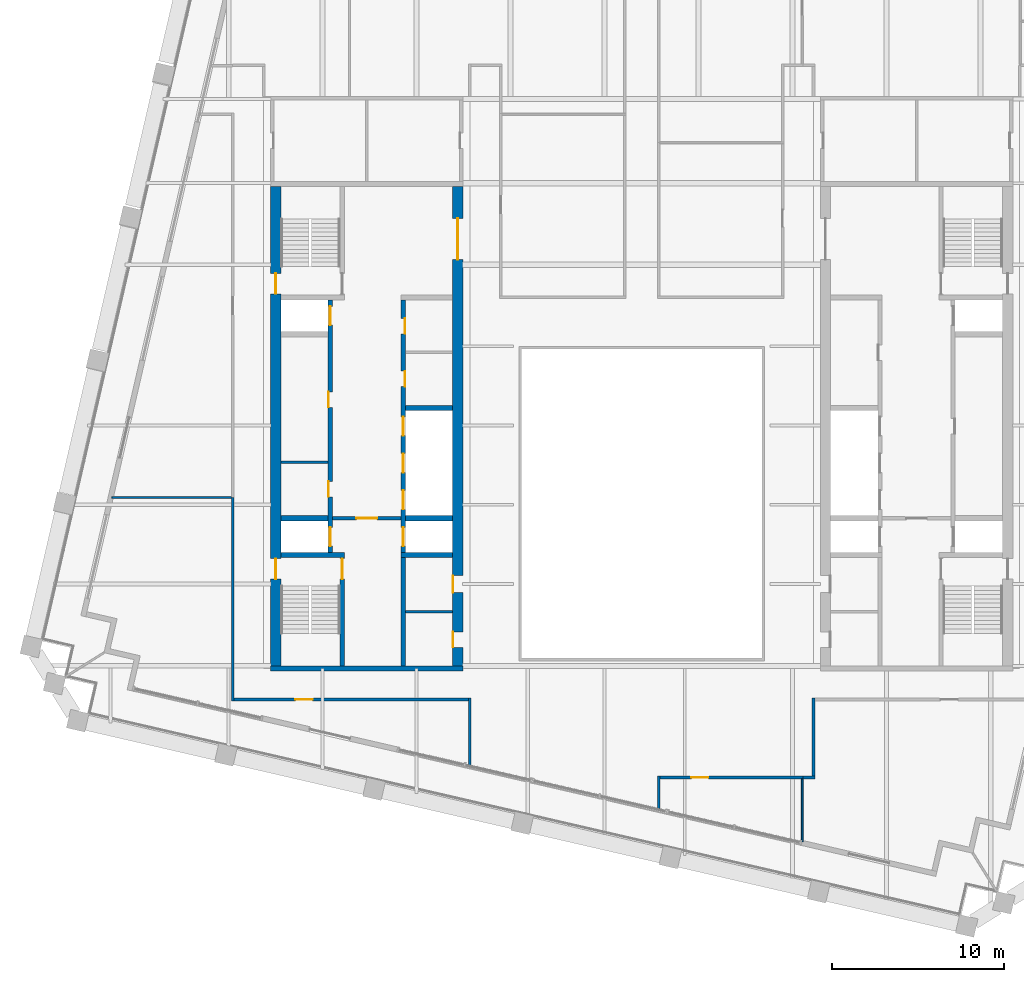
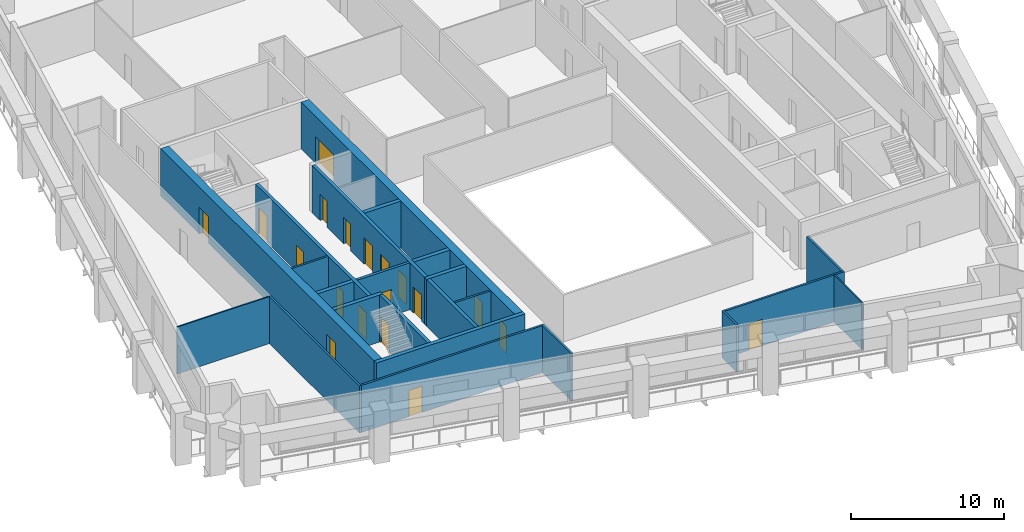
# One storey, part 5 of 11: 23 walls, 19 doors, 19 openings.
"""IFC4 building model written with IfcOpenShell, lengths in metres."""

import ifcopenshell
import ifcopenshell.guid

model = None  # the IFC model being written
_history = None  # IfcOwnerHistory: only IFC2X3 demands one
_inside = {}  # id of a spatial element -> (the spatial element, [elements in it])
_under = {}  # id of a project, library or spatial element -> (it, [spatial elements below it])
_declared = {}  # id of a project -> (the project, [libraries it declares])
_typed = {}  # id of a type object -> (the type object, [elements of that type])
_made_of = {}  # id of a material, layer set ... -> (it, [elements and type objects made of it])


def new_model(schema):
    """Start an empty IFC model of exactly this schema.

    Asked for "IFC4X3", IfcOpenShell would pick the latest addendum, in which some entities
    have other attributes; the version numbers below select the first issue.
    IFC2X3 requires an IfcOwnerHistory on every rooted entity: one is made here for all.
    """
    global model, _history
    if schema == "IFC4X3":
        model = ifcopenshell.file(schema_version=(4, 3, 0, 0))
    else:
        model = ifcopenshell.file(schema=schema)
    _inside.clear()
    _under.clear()
    _declared.clear()
    _typed.clear()
    _made_of.clear()
    _history = None
    if model.schema == "IFC2X3":
        org = make("IfcOrganization", Name="unknown")
        user = make(
            "IfcPersonAndOrganization",
            ThePerson=make("IfcPerson", FamilyName="unknown"),
            TheOrganization=org,
        )
        app = make(
            "IfcApplication",
            ApplicationDeveloper=org,
            Version="unknown",
            ApplicationFullName="unknown",
            ApplicationIdentifier="unknown",
        )
        _history = make(
            "IfcOwnerHistory",
            OwningUser=user,
            OwningApplication=app,
            ChangeAction="ADDED",
            CreationDate=0,
        )
    return model


def make(cls, **values):
    """One entity of the class cls with the attributes given. An attribute that is None is left unset."""
    return model.create_entity(
        cls, **{name: value for name, value in values.items() if value is not None}
    )


def rooted(cls, **values):
    """An entity with a GlobalId (a new one), such as an element, a storey or a relation."""
    return make(cls, GlobalId=ifcopenshell.guid.new(), OwnerHistory=_history, **values)


def si_unit(unit_type, name, prefix=None):
    """IfcSIUnit, for example si_unit("LENGTHUNIT", "METRE", prefix="MILLI")."""
    return make("IfcSIUnit", UnitType=unit_type, Prefix=prefix, Name=name)


def assignment(units):
    """IfcUnitAssignment: the units of a project."""
    return None if units is None else make("IfcUnitAssignment", Units=units)


def point(xyz):
    """IfcCartesianPoint."""
    return None if xyz is None else make("IfcCartesianPoint", Coordinates=xyz)


def direction(xyz):
    """IfcDirection."""
    return None if xyz is None else make("IfcDirection", DirectionRatios=xyz)


def frame(location, z_axis=None, x_axis=None):
    """IfcAxis2Placement3D, a coordinate frame: its origin and axes. An axis left out is left unset."""
    return make(
        "IfcAxis2Placement3D",
        Location=point(location),
        Axis=direction(z_axis),
        RefDirection=direction(x_axis),
    )


def frame_2d(location, x_axis=None):
    """IfcAxis2Placement2D, a coordinate frame in the plane: its origin and x axis."""
    return make(
        "IfcAxis2Placement2D", Location=point(location), RefDirection=direction(x_axis)
    )


def origin():
    """The frame at (0, 0, 0) with its axes left unset."""
    return frame((0.0, 0.0, 0.0))


def place(relative_to, where):
    """IfcLocalPlacement: puts the frame where relative to a parent placement (None: the world)."""
    return make(
        "IfcLocalPlacement", PlacementRelTo=relative_to, RelativePlacement=where
    )


def context(
    kind, dimensions, precision=None, world=None, true_north=None, identifier=None
):
    """IfcGeometricRepresentationContext, for example the 3D "Model" context."""
    return make(
        "IfcGeometricRepresentationContext",
        ContextIdentifier=identifier,
        ContextType=kind,
        CoordinateSpaceDimension=dimensions,
        Precision=precision,
        WorldCoordinateSystem=world,
        TrueNorth=true_north,
    )


def subcontext(parent, identifier, kind, view, scale=None):
    """IfcGeometricRepresentationSubContext, for example "Body" below "Model"."""
    return make(
        "IfcGeometricRepresentationSubContext",
        ContextIdentifier=identifier,
        ContextType=kind,
        ParentContext=parent,
        TargetScale=scale,
        TargetView=view,
    )


def project(units=None, contexts=None):
    """IfcProject with its units and contexts."""
    return rooted(
        "IfcProject",
        Name="project",
        RepresentationContexts=contexts,
        UnitsInContext=assignment(units),
    )


def spatial(cls, under=None, at=None, **own):
    """A site, building, storey or space (cls), placed at a placement, below another one or the project."""
    s = rooted(cls, ObjectPlacement=at, **own)
    if under is not None:
        _under.setdefault(under.id(), (under, []))[1].append(s)
    return s


def profile(cls, at=None, kind="AREA", **sizes):
    """A parametric profile (cls). Its sizes go by their IFC names, for example OverallWidth=200.0."""
    return make(cls, ProfileType=kind, Position=at, **sizes)


def rectangle(**sizes):
    """IfcRectangleProfileDef."""
    return profile("IfcRectangleProfileDef", **sizes)


def extrude(swept, where, along, depth):
    """IfcExtrudedAreaSolid: the profile swept, set in the frame where, extruded along a direction by depth."""
    return make(
        "IfcExtrudedAreaSolid",
        SweptArea=swept,
        Position=where,
        ExtrudedDirection=direction(along),
        Depth=depth,
    )


def shape(context_of_items, identifier, shape_type, items):
    """IfcShapeRepresentation: the items that make up one representation, for example the "Body"."""
    return make(
        "IfcShapeRepresentation",
        ContextOfItems=context_of_items,
        RepresentationIdentifier=identifier,
        RepresentationType=shape_type,
        Items=items,
    )


def material(Name=None, Category=None):
    """IfcMaterial."""
    return make("IfcMaterial", Name=Name, Category=Category)


def layer(
    of_material, thickness, ventilated=None, Name=None, Category=None, Priority=None
):
    """IfcMaterialLayer: one layer of a wall or slab, of a material (None: an air gap)."""
    return make(
        "IfcMaterialLayer",
        Material=of_material,
        LayerThickness=thickness,
        IsVentilated=ventilated,
        Name=Name,
        Category=Category,
        Priority=Priority,
    )


def layer_set(layers, Name=None):
    """IfcMaterialLayerSet."""
    return make("IfcMaterialLayerSet", MaterialLayers=layers, LayerSetName=Name)


def made_of(thing, what):
    """Note that an element or type object is made of a material, layer set ...; save() writes the relation."""
    if what is not None:
        _made_of.setdefault(what.id(), (what, []))[1].append(thing)
    return thing


def type_object(cls, material=None, **own):
    """A type object (cls), such as IfcWallType, which elements share."""
    return made_of(rooted(cls, **own), material)


def element(
    cls,
    number,
    at=None,
    inside=None,
    cuts=None,
    type_object=None,
    material=None,
    context=None,
    identifier="Body",
    shape_type=None,
    held_by="IfcProductDefinitionShape",
    body=None,
    shapes=None,
    **own,
):
    """One element of the class cls, such as IfcWall. Its Tag is "e" and its number.

    at: its placement. inside: the storey or other place that contains it. cuts: it is an
    opening in that element (IfcRelVoidsElement). A single representation is given by context,
    identifier, shape_type and body (its items); several are given by shapes. held_by: the class
    of the entity that holds the representations. save() writes the other relations.
    """
    e = rooted(cls, Tag="e%d" % number, ObjectPlacement=at, **own)
    if body is not None:
        shapes = [shape(context, identifier, shape_type, body)]
    if shapes is not None:
        e.Representation = make(held_by, Representations=shapes)
    if inside is not None:
        _inside.setdefault(inside.id(), (inside, []))[1].append(e)
    if cuts is not None:
        rooted(
            "IfcRelVoidsElement", RelatingBuildingElement=cuts, RelatedOpeningElement=e
        )
    if type_object is not None:
        _typed.setdefault(type_object.id(), (type_object, []))[1].append(e)
    return made_of(e, material)


def fill(opening, filler):
    """IfcRelFillsElement: the door or window that sits in an opening."""
    return rooted(
        "IfcRelFillsElement",
        RelatingOpeningElement=opening,
        RelatedBuildingElement=filler,
    )


def aggregate(whole, parts):
    """IfcRelAggregates: a whole, such as a stair, and the parts it consists of."""
    return rooted("IfcRelAggregates", RelatingObject=whole, RelatedObjects=parts)


def save(model, path):
    """Write the relations noted so far, then the file.

    IfcRelAggregates (storeys below a building ...), IfcRelContainedInSpatialStructure (elements
    in a storey), IfcRelDefinesByType, IfcRelAssociatesMaterial and IfcRelDeclares: one each for
    every whole, place, type object, material and project.
    """
    for whole, parts in _under.values():
        aggregate(whole, parts)
    for where, things in _inside.values():
        rooted(
            "IfcRelContainedInSpatialStructure",
            RelatedElements=things,
            RelatingStructure=where,
        )
    for kind, things in _typed.values():
        rooted("IfcRelDefinesByType", RelatedObjects=things, RelatingType=kind)
    for what, things in _made_of.values():
        rooted("IfcRelAssociatesMaterial", RelatedObjects=things, RelatingMaterial=what)
    for by, libraries in _declared.values():
        rooted("IfcRelDeclares", RelatingContext=by, RelatedDefinitions=libraries)
    model.write(path)


model = new_model("IFC4")

# Units and contexts
model_context = context("Model", 3, precision=1e-05, world=origin(), true_north=direction((0.0, 1.0)))
body_context = subcontext(model_context, "Body", "Model", "MODEL_VIEW")
ifc_project = project(units=[si_unit("LENGTHUNIT", "METRE"), si_unit("AREAUNIT", "SQUARE_METRE"), si_unit("VOLUMEUNIT", "CUBIC_METRE"), si_unit("PLANEANGLEUNIT", "RADIAN"), si_unit("MASSUNIT", "GRAM", prefix="KILO")], contexts=[model_context])

# Site, building, storey
site_placement = place(None, origin())
site = spatial("IfcSite", under=ifc_project, at=site_placement, CompositionType="ELEMENT")
building_placement = place(site_placement, origin())
building = spatial("IfcBuilding", under=site, at=building_placement, Name="Ogive Exchange Tower", CompositionType="ELEMENT")
storey_placement = place(building_placement, frame((0.0, 0.0, 293.39990234375)))
storey = spatial("IfcBuildingStorey", under=building, at=storey_placement, Name="L64", CompositionType="ELEMENT", Elevation=293.39990234375)

# Walls
ifc_material_1 = material(Name="Gypsum board partition")
ifc_layer_1 = layer(ifc_material_1, 0.14990234375)
ifc_layer_set_1 = layer_set([ifc_layer_1], Name="Core room partition 150 gypsum")
wall_type_1 = type_object("IfcWallType", Name="Core room partition 150 gypsum", PredefinedType="PARTITIONING", material=ifc_layer_set_1)
for number, where, z_axis, x_axis, name in (
    (1, (-21.0, 9.39990234375, 0.0), (0.0, 0.0, 1.0), (1.0, 0.0, 0.0), "W row A bay partition 1-1"),
    (2, (-13.75, 0.699951171875, 0.0), (0.0, 0.0, 1.0), (1.0, 0.0, 0.0), "W south room partition"),
):
    element("IfcWall", number, at=place(storey_placement, frame(where, z_axis=z_axis, x_axis=x_axis)), inside=storey, type_object=wall_type_1, Name=name, PredefinedType="PARTITIONING", context=body_context, shape_type="SweptSolid", body=[
        extrude(rectangle(XDim=2.75, YDim=0.14990234375, at=frame_2d((1.375, 0.0))), origin(), (0.0, 0.0, 1.0), 3.75),
    ])
ifc_material_2 = material(Name="Fire partition EI 60 150")
ifc_layer_2 = layer(ifc_material_2, 0.14990234375)
ifc_layer_set_2 = layer_set([ifc_layer_2], Name="Fire partition EI 60 150")
wall_type_2 = type_object("IfcWallType", Name="Fire partition EI 60 150", PredefinedType="PARTITIONING", material=ifc_layer_set_2)
wall_1_placement = place(storey_placement, frame((-23.800048828125, -4.47509765625, 0.0), z_axis=(0.0, 0.0, 1.0), x_axis=(0.0, 1.0, 0.0)))
element("IfcWall", 3, at=wall_1_placement, inside=storey, type_object=wall_type_2, Name="L64-PWL-002", PredefinedType="PARTITIONING", context=body_context, shape_type="SweptSolid", body=[
    extrude(rectangle(XDim=11.8251953125, YDim=0.14990234375, at=frame_2d((5.91259765625, 0.0))), origin(), (0.0, 0.0, 1.0), 3.75),
])
wall_2_placement = place(storey_placement, frame((-10.0, -8.216064453125, 0.0), z_axis=(0.0, 0.0, 1.0), x_axis=(0.0, 1.0, 0.0)))
element("IfcWall", 4, at=wall_2_placement, inside=storey, type_object=wall_type_2, Name="L64-PWL-013", PredefinedType="PARTITIONING", context=body_context, shape_type="SweptSolid", body=[
    extrude(rectangle(XDim=3.89111328125, YDim=0.14990234375, at=frame_2d((1.945556640625, 0.0))), origin(), (0.0, 0.0, 1.0), 3.75),
])

# Wall, opening, door
wall_3_placement = place(storey_placement, frame((-10.074951171875, -4.39990234375, 0.0), z_axis=(0.0, 0.0, 1.0), x_axis=(-1.0, 0.0, 0.0)))
wall_3 = element("IfcWall", 5, at=wall_3_placement, inside=storey, type_object=wall_type_2, Name="L64-PWL-014", PredefinedType="PARTITIONING", context=body_context, shape_type="SweptSolid", body=[
    extrude(rectangle(XDim=13.650146484375, YDim=0.14990234375, at=frame_2d((6.8251953125, 0.0))), origin(), (0.0, 0.0, 1.0), 3.75),
])
opening_1_placement = place(wall_3_placement, frame((9.074951171875, 0.0, 0.0)))
opening_1 = element("IfcOpeningElement", 6, at=opening_1_placement, cuts=wall_3, Name="Opening L64-I16", PredefinedType="OPENING", context=body_context, shape_type="SweptSolid", body=[
    extrude(rectangle(XDim=1.0, YDim=2.10009765625, at=frame_2d((0.5, 1.050048828125))), frame((0.0, 0.0849609375, 0.0), z_axis=(0.0, -1.0, 0.0), x_axis=(1.0, 0.0, 0.0)), (0.0, 0.0, 1.0), 0.169921875),
])
ifc_material_3 = material(Name="Fire door FD 30S 1000 x 2100")
door_type_1 = type_object("IfcDoorType", Name="Fire door FD 30S 1000 x 2100", OperationType="NOTDEFINED", PredefinedType="DOOR", material=ifc_material_3)
door_1_placement = place(opening_1_placement, origin())
door_1 = element("IfcDoor", 7, at=door_1_placement, inside=storey, type_object=door_type_1, Name="L64-IDR-016", ObjectType="DT3", OperationType="SINGLE_SWING_RIGHT", OverallHeight=2.10009765625, OverallWidth=1.0, PredefinedType="DOOR", context=body_context, shape_type="SweptSolid", body=[
    extrude(rectangle(XDim=1.0, YDim=2.10009765625, at=frame_2d((0.5, 1.050048828125))), frame((0.0, 0.02490234375, 0.0), z_axis=(0.0, -1.0, 0.0), x_axis=(1.0, 0.0, 0.0)), (0.0, 0.0, 1.0), 0.050048828125),
])
fill(opening_1, door_1)

# Wall
wall_4_placement = place(storey_placement, frame((0.989990234375, -8.864990234375, 0.0), z_axis=(0.0, 0.0, 1.0), x_axis=(0.0, -1.0, 0.0)))
element("IfcWall", 8, at=wall_4_placement, inside=storey, type_object=wall_type_2, Name="L64-PWL-024", PredefinedType="PARTITIONING", context=body_context, shape_type="SweptSolid", body=[
    extrude(rectangle(XDim=1.887939453125, YDim=0.14990234375, at=frame_2d((0.94384765625, 0.0))), origin(), (0.0, 0.0, 1.0), 3.75),
])

# Wall, opening, door
wall_5_placement = place(storey_placement, frame((9.389892578125, -8.93994140625, 0.0), z_axis=(0.0, 0.0, 1.0), x_axis=(-1.0, 0.0, 0.0)))
wall_5 = element("IfcWall", 9, at=wall_5_placement, inside=storey, type_object=wall_type_2, Name="L64-PWL-032", PredefinedType="PARTITIONING", context=body_context, shape_type="SweptSolid", body=[
    extrude(rectangle(XDim=8.324951171875, YDim=0.14990234375, at=frame_2d((4.16259765625, 0.0))), origin(), (0.0, 0.0, 1.0), 3.75),
])
opening_2_placement = place(wall_5_placement, frame((5.5, 0.0, 0.0)))
opening_2 = element("IfcOpeningElement", 10, at=opening_2_placement, cuts=wall_5, Name="Opening L64-I03", PredefinedType="OPENING", context=body_context, shape_type="SweptSolid", body=[
    extrude(rectangle(XDim=1.0, YDim=2.10009765625, at=frame_2d((0.5, 1.050048828125))), frame((0.0, 0.0849609375, 0.0), z_axis=(0.0, -1.0, 0.0), x_axis=(1.0, 0.0, 0.0)), (0.0, 0.0, 1.0), 0.169921875),
])
door_2_placement = place(opening_2_placement, origin())
door_2 = element("IfcDoor", 11, at=door_2_placement, inside=storey, type_object=door_type_1, Name="L64-IDR-003", ObjectType="DT3", OperationType="SINGLE_SWING_LEFT", OverallHeight=2.10009765625, OverallWidth=1.0, PredefinedType="DOOR", context=body_context, shape_type="SweptSolid", body=[
    extrude(rectangle(XDim=1.0, YDim=2.10009765625, at=frame_2d((0.5, 1.050048828125))), frame((0.0, 0.02490234375, 0.0), z_axis=(0.0, -1.0, 0.0), x_axis=(1.0, 0.0, 0.0)), (0.0, 0.0, 1.0), 0.050048828125),
])
fill(opening_2, door_2)

# Walls
wall_6_placement = place(storey_placement, frame((10.074951171875, -8.93994140625, 0.0), z_axis=(0.0, 0.0, 1.0), x_axis=(-1.0, 0.0, 0.0)))
element("IfcWall", 12, at=wall_6_placement, inside=storey, type_object=wall_type_2, Name="L64-PWL-037", PredefinedType="PARTITIONING", context=body_context, shape_type="SweptSolid", body=[
    extrude(rectangle(XDim=0.68505859375, YDim=0.14990234375, at=frame_2d((0.342529296875, 0.0))), origin(), (0.0, 0.0, 1.0), 3.75),
])
wall_7_placement = place(storey_placement, frame((10.0, -4.324951171875, 0.0), z_axis=(0.0, 0.0, 1.0), x_axis=(0.0, -1.0, 0.0)))
element("IfcWall", 13, at=wall_7_placement, inside=storey, type_object=wall_type_2, Name="L64-PWL-038", PredefinedType="PARTITIONING", context=body_context, shape_type="SweptSolid", body=[
    extrude(rectangle(XDim=4.5400390625, YDim=0.14990234375, at=frame_2d((2.27001953125, 0.0))), origin(), (0.0, 0.0, 1.0), 3.75),
])
ifc_material_4 = material(Name="Partition 100 gypsum")
ifc_layer_3 = layer(ifc_material_4, 0.10009765625)
ifc_layer_set_3 = layer_set([ifc_layer_3], Name="Partition 100 gypsum")
wall_type_3 = type_object("IfcWallType", Name="Partition 100 gypsum", PredefinedType="PARTITIONING", material=ifc_layer_set_3)
wall_8_placement = place(storey_placement, frame((-23.875, 7.35009765625, 0.0), z_axis=(0.0, 0.0, 1.0), x_axis=(-1.0, 0.0, 0.0)))
element("IfcWall", 14, at=wall_8_placement, inside=storey, type_object=wall_type_3, Name="L64-PWL-003", PredefinedType="PARTITIONING", context=body_context, shape_type="SweptSolid", body=[
    extrude(rectangle(XDim=6.9541015625, YDim=0.10009765625, at=frame_2d((3.47705078125, 0.0))), origin(), (0.0, 0.0, 1.0), 3.75),
])
wall_9_placement = place(storey_placement, frame((9.340087890625, -9.014892578125, 0.0), z_axis=(0.0, 0.0, 1.0), x_axis=(0.0, -1.0, 0.0)))
element("IfcWall", 15, at=wall_9_placement, inside=storey, type_object=wall_type_3, Name="L64-PWL-033", PredefinedType="PARTITIONING", context=body_context, shape_type="SweptSolid", body=[
    extrude(rectangle(XDim=3.666015625, YDim=0.10009765625, at=frame_2d((1.8330078125, 0.0))), origin(), (0.0, 0.0, 1.0), 3.75),
])

# Wall, opening, door
ifc_material_5 = material(Name="Concrete C70/85", Category="concrete")
ifc_layer_4 = layer(ifc_material_5, 0.199951171875)
ifc_layer_set_4 = layer_set([ifc_layer_4], Name="RC core wall 200 C70/85")
wall_type_4 = type_object("IfcWallType", Name="RC core wall 200 C70/85", PredefinedType="SHEAR", material=ifc_layer_set_4)
wall_10_placement = place(storey_placement, frame((-18.0, 6.142822265625, 0.0), z_axis=(0.0, 0.0, 1.0), x_axis=(1.0, 0.0, 0.0)))
wall_10 = element("IfcWall", 16, at=wall_10_placement, inside=storey, type_object=wall_type_4, Name="W firefighting lobby wall", PredefinedType="SHEAR", context=body_context, shape_type="SweptSolid", body=[
    extrude(rectangle(XDim=4.0, YDim=0.199951171875, at=frame_2d((2.0, 0.0))), origin(), (0.0, 0.0, 1.0), 3.75),
])
opening_3_placement = place(wall_10_placement, frame((1.39990234375, 0.0, 0.0)))
opening_3 = element("IfcOpeningElement", 17, at=opening_3_placement, cuts=wall_10, Name="Opening L64-C11", PredefinedType="OPENING", context=body_context, shape_type="SweptSolid", body=[
    extrude(rectangle(XDim=1.199951171875, YDim=2.10009765625, at=frame_2d((0.60009765625, 1.050048828125))), frame((0.0, 0.10986328125, 0.0), z_axis=(0.0, -1.0, 0.0), x_axis=(1.0, 0.0, 0.0)), (0.0, 0.0, 1.0), 0.219970703125),
])
ifc_material_6 = material(Name="Steel fire door", Category="steel")
door_type_2 = type_object("IfcDoorType", Name="Firefighting lobby door FD60 1200 x 2100", OperationType="NOTDEFINED", PredefinedType="DOOR", material=ifc_material_6)
door_3_placement = place(opening_3_placement, frame((1.199951171875, 0.0, 0.0), z_axis=(0.0, 0.0, 1.0), x_axis=(-1.0, 0.0, 0.0)))
door_3 = element("IfcDoor", 18, at=door_3_placement, inside=storey, type_object=door_type_2, Name="Firefighting lobby door", ObjectType="CD3", OperationType="SINGLE_SWING_RIGHT", OverallHeight=2.10009765625, OverallWidth=1.199951171875, PredefinedType="DOOR", context=body_context, shape_type="SweptSolid", body=[
    extrude(rectangle(XDim=1.199951171875, YDim=2.10009765625, at=frame_2d((0.60009765625, 1.050048828125))), frame((0.0, 0.02490234375, 0.0), z_axis=(0.0, -1.0, 0.0), x_axis=(1.0, 0.0, 0.0)), (0.0, 0.0, 1.0), 0.050048828125),
])
fill(opening_3, door_3)

ifc_layer_5 = layer(ifc_material_5, 0.25)
ifc_layer_set_5 = layer_set([ifc_layer_5], Name="RC core wall 250 C70/85")
wall_type_5 = type_object("IfcWallType", Name="RC core wall 250 C70/85", PredefinedType="SHEAR", material=ifc_layer_set_5)
wall_11_placement = place(storey_placement, frame((-17.425048828125, -2.449951171875, 0.0), z_axis=(0.0, 0.0, 1.0), x_axis=(0.0, 1.0, 0.0)))
wall_11 = element("IfcWall", 19, at=wall_11_placement, inside=storey, type_object=wall_type_5, Name="W stair S front wall", PredefinedType="SHEAR", context=body_context, shape_type="SweptSolid", body=[
    extrude(rectangle(XDim=6.300048828125, YDim=0.25, at=frame_2d((3.14990234375, 0.0))), origin(), (0.0, 0.0, 1.0), 3.75),
])
opening_4_placement = place(wall_11_placement, frame((5.050048828125, 0.0, 0.0)))
opening_4 = element("IfcOpeningElement", 20, at=opening_4_placement, cuts=wall_11, Name="Opening L64-C13", PredefinedType="OPENING", context=body_context, shape_type="SweptSolid", body=[
    extrude(rectangle(XDim=1.199951171875, YDim=2.10009765625, at=frame_2d((0.60009765625, 1.050048828125))), frame((0.0, 0.135009765625, 0.0), z_axis=(0.0, -1.0, 0.0), x_axis=(1.0, 0.0, 0.0)), (0.0, 0.0, 1.0), 0.27001953125),
])
door_type_3 = type_object("IfcDoorType", Name="Stair door FD90 1200 x 2100", OperationType="NOTDEFINED", PredefinedType="DOOR", material=ifc_material_6)
door_4_placement = place(opening_4_placement, origin())
door_4 = element("IfcDoor", 21, at=door_4_placement, inside=storey, type_object=door_type_3, Name="Stair door", ObjectType="CD5", OperationType="SINGLE_SWING_LEFT", OverallHeight=2.10009765625, OverallWidth=1.199951171875, PredefinedType="DOOR", context=body_context, shape_type="SweptSolid", body=[
    extrude(rectangle(XDim=1.199951171875, YDim=2.10009765625, at=frame_2d((0.60009765625, 1.050048828125))), frame((0.0, 0.02490234375, 0.0), z_axis=(0.0, -1.0, 0.0), x_axis=(1.0, 0.0, 0.0)), (0.0, 0.0, 1.0), 0.050048828125),
])
fill(opening_4, door_4)

# Wall, openings, doors
wall_12_placement = place(storey_placement, frame((-18.125, 4.14990234375, 0.0), z_axis=(0.0, 0.0, 1.0), x_axis=(0.0, 1.0, 0.0)))
wall_12 = element("IfcWall", 22, at=wall_12_placement, inside=storey, type_object=wall_type_5, Name="W row A front wall", PredefinedType="SHEAR", context=body_context, shape_type="SweptSolid", body=[
    extrude(rectangle(XDim=14.7001953125, YDim=0.25, at=frame_2d((7.35009765625, 0.0))), origin(), (0.0, 0.0, 1.0), 3.75),
])
opening_5_placement = place(wall_12_placement, frame((3.246337890625, 0.0, 0.0)))
opening_5 = element("IfcOpeningElement", 23, at=opening_5_placement, cuts=wall_12, Name="Opening L64-C01", PredefinedType="OPENING", context=body_context, shape_type="SweptSolid", body=[
    extrude(rectangle(XDim=0.89990234375, YDim=2.10009765625, at=frame_2d((0.449951171875, 1.050048828125))), frame((0.0, 0.135009765625, 0.0), z_axis=(0.0, -1.0, 0.0), x_axis=(1.0, 0.0, 0.0)), (0.0, 0.0, 1.0), 0.27001953125),
])
opening_6_placement = place(wall_12_placement, frame((8.45361328125, 0.0, 0.0)))
opening_6 = element("IfcOpeningElement", 24, at=opening_6_placement, cuts=wall_12, Name="Opening L64-C02", PredefinedType="OPENING", context=body_context, shape_type="SweptSolid", body=[
    extrude(rectangle(XDim=0.89990234375, YDim=2.10009765625, at=frame_2d((0.449951171875, 1.050048828125))), frame((0.0, 0.135009765625, 0.0), z_axis=(0.0, -1.0, 0.0), x_axis=(1.0, 0.0, 0.0)), (0.0, 0.0, 1.0), 0.27001953125),
])
opening_7_placement = place(wall_12_placement, frame((0.371337890625, 0.0, 0.0)))
opening_7 = element("IfcOpeningElement", 25, at=opening_7_placement, cuts=wall_12, Name="Opening L64-C03", PredefinedType="OPENING", context=body_context, shape_type="SweptSolid", body=[
    extrude(rectangle(XDim=1.10009765625, YDim=2.10009765625, at=frame_2d((0.550048828125, 1.050048828125))), frame((0.0, 0.135009765625, 0.0), z_axis=(0.0, -1.0, 0.0), x_axis=(1.0, 0.0, 0.0)), (0.0, 0.0, 1.0), 0.27001953125),
])
opening_8_placement = place(wall_12_placement, frame((13.228515625, 0.0, 0.0)))
opening_8 = element("IfcOpeningElement", 26, at=opening_8_placement, cuts=wall_12, Name="Opening L64-C04", PredefinedType="OPENING", context=body_context, shape_type="SweptSolid", body=[
    extrude(rectangle(XDim=1.10009765625, YDim=2.10009765625, at=frame_2d((0.550048828125, 1.050048828125))), frame((0.0, 0.135009765625, 0.0), z_axis=(0.0, -1.0, 0.0), x_axis=(1.0, 0.0, 0.0)), (0.0, 0.0, 1.0), 0.27001953125),
])
ifc_material_7 = material(Name="Stainless steel", Category="steel")
door_type_4 = type_object("IfcDoorType", Name="Lift landing door FD90 1100 x 2100", OperationType="SLIDING_TO_LEFT", PredefinedType="DOOR", material=ifc_material_7)
door_5_placement = place(opening_7_placement, origin())
door_5 = element("IfcDoor", 27, at=door_5_placement, inside=storey, type_object=door_type_4, Name="Lift landing door FF1", ObjectType="LD", OperationType="SLIDING_TO_LEFT", OverallHeight=2.10009765625, OverallWidth=1.10009765625, PredefinedType="DOOR", context=body_context, shape_type="SweptSolid", body=[
    extrude(rectangle(XDim=1.10009765625, YDim=2.10009765625, at=frame_2d((0.550048828125, 1.050048828125))), frame((0.0, 0.02490234375, 0.0), z_axis=(0.0, -1.0, 0.0), x_axis=(1.0, 0.0, 0.0)), (0.0, 0.0, 1.0), 0.050048828125),
])
fill(opening_7, door_5)
door_6_placement = place(opening_8_placement, origin())
door_6 = element("IfcDoor", 28, at=door_6_placement, inside=storey, type_object=door_type_4, Name="Lift landing door W-SH2", ObjectType="LD", OperationType="SLIDING_TO_LEFT", OverallHeight=2.10009765625, OverallWidth=1.10009765625, PredefinedType="DOOR", context=body_context, shape_type="SweptSolid", body=[
    extrude(rectangle(XDim=1.10009765625, YDim=2.10009765625, at=frame_2d((0.550048828125, 1.050048828125))), frame((0.0, 0.02490234375, 0.0), z_axis=(0.0, -1.0, 0.0), x_axis=(1.0, 0.0, 0.0)), (0.0, 0.0, 1.0), 0.050048828125),
])
fill(opening_8, door_6)
door_type_5 = type_object("IfcDoorType", Name="Riser door FD60 900 x 2100", OperationType="NOTDEFINED", PredefinedType="DOOR", material=ifc_material_6)
door_7_placement = place(opening_5_placement, origin())
door_7 = element("IfcDoor", 29, at=door_7_placement, inside=storey, type_object=door_type_5, Name="Riser door", ObjectType="CD2", OperationType="SINGLE_SWING_RIGHT", OverallHeight=2.10009765625, OverallWidth=0.89990234375, PredefinedType="DOOR", context=body_context, shape_type="SweptSolid", body=[
    extrude(rectangle(XDim=0.89990234375, YDim=2.10009765625, at=frame_2d((0.449951171875, 1.050048828125))), frame((0.0, 0.125, 0.0), z_axis=(0.0, -1.0, 0.0), x_axis=(1.0, 0.0, 0.0)), (0.0, 0.0, 1.0), 0.050048828125),
])
fill(opening_5, door_7)
door_8_placement = place(opening_6_placement, origin())
door_8 = element("IfcDoor", 30, at=door_8_placement, inside=storey, type_object=door_type_5, Name="Riser door", ObjectType="CD2", OperationType="SINGLE_SWING_RIGHT", OverallHeight=2.10009765625, OverallWidth=0.89990234375, PredefinedType="DOOR", context=body_context, shape_type="SweptSolid", body=[
    extrude(rectangle(XDim=0.89990234375, YDim=2.10009765625, at=frame_2d((0.449951171875, 1.050048828125))), frame((0.0, 0.125, 0.0), z_axis=(0.0, -1.0, 0.0), x_axis=(1.0, 0.0, 0.0)), (0.0, 0.0, 1.0), 0.050048828125),
])
fill(opening_6, door_8)

wall_13_placement = place(storey_placement, frame((-13.875, -2.449951171875, 0.0), z_axis=(0.0, 0.0, 1.0), x_axis=(0.0, 1.0, 0.0)))
wall_13 = element("IfcWall", 31, at=wall_13_placement, inside=storey, type_object=wall_type_5, Name="W row B front wall", PredefinedType="SHEAR", context=body_context, shape_type="SweptSolid", body=[
    extrude(rectangle(XDim=21.300048828125, YDim=0.25, at=frame_2d((10.64990234375, 0.0))), origin(), (0.0, 0.0, 1.0), 3.75),
])
opening_9_placement = place(wall_13_placement, frame((16.2607421875, 0.0, 0.0)))
opening_9 = element("IfcOpeningElement", 32, at=opening_9_placement, cuts=wall_13, Name="Opening L64-C05", PredefinedType="OPENING", context=body_context, shape_type="SweptSolid", body=[
    extrude(rectangle(XDim=0.89990234375, YDim=2.10009765625, at=frame_2d((0.449951171875, 1.050048828125))), frame((0.0, 0.135009765625, 0.0), z_axis=(0.0, -1.0, 0.0), x_axis=(1.0, 0.0, 0.0)), (0.0, 0.0, 1.0), 0.27001953125),
])
opening_10_placement = place(wall_13_placement, frame((19.324951171875, 0.0, 0.0)))
opening_10 = element("IfcOpeningElement", 33, at=opening_10_placement, cuts=wall_13, Name="Opening L64-C06", PredefinedType="OPENING", context=body_context, shape_type="SweptSolid", body=[
    extrude(rectangle(XDim=0.89990234375, YDim=2.10009765625, at=frame_2d((0.449951171875, 1.050048828125))), frame((0.0, 0.135009765625, 0.0), z_axis=(0.0, -1.0, 0.0), x_axis=(1.0, 0.0, 0.0)), (0.0, 0.0, 1.0), 0.27001953125),
])
opening_11_placement = place(wall_13_placement, frame((6.971435546875, 0.0, 0.0)))
opening_11 = element("IfcOpeningElement", 34, at=opening_11_placement, cuts=wall_13, Name="Opening L64-C07", PredefinedType="OPENING", context=body_context, shape_type="SweptSolid", body=[
    extrude(rectangle(XDim=1.10009765625, YDim=2.10009765625, at=frame_2d((0.550048828125, 1.050048828125))), frame((0.0, 0.135009765625, 0.0), z_axis=(0.0, -1.0, 0.0), x_axis=(1.0, 0.0, 0.0)), (0.0, 0.0, 1.0), 0.27001953125),
])
opening_12_placement = place(wall_13_placement, frame((9.1142578125, 0.0, 0.0)))
opening_12 = element("IfcOpeningElement", 35, at=opening_12_placement, cuts=wall_13, Name="Opening L64-C08", PredefinedType="OPENING", context=body_context, shape_type="SweptSolid", body=[
    extrude(rectangle(XDim=1.10009765625, YDim=2.10009765625, at=frame_2d((0.550048828125, 1.050048828125))), frame((0.0, 0.135009765625, 0.0), z_axis=(0.0, -1.0, 0.0), x_axis=(1.0, 0.0, 0.0)), (0.0, 0.0, 1.0), 0.27001953125),
])
opening_13_placement = place(wall_13_placement, frame((11.257080078125, 0.0, 0.0)))
opening_13 = element("IfcOpeningElement", 36, at=opening_13_placement, cuts=wall_13, Name="Opening L64-C09", PredefinedType="OPENING", context=body_context, shape_type="SweptSolid", body=[
    extrude(rectangle(XDim=1.10009765625, YDim=2.10009765625, at=frame_2d((0.550048828125, 1.050048828125))), frame((0.0, 0.135009765625, 0.0), z_axis=(0.0, -1.0, 0.0), x_axis=(1.0, 0.0, 0.0)), (0.0, 0.0, 1.0), 0.27001953125),
])
opening_14_placement = place(wall_13_placement, frame((13.39990234375, 0.0, 0.0)))
opening_14 = element("IfcOpeningElement", 37, at=opening_14_placement, cuts=wall_13, Name="Opening L64-C10", PredefinedType="OPENING", context=body_context, shape_type="SweptSolid", body=[
    extrude(rectangle(XDim=1.10009765625, YDim=2.10009765625, at=frame_2d((0.550048828125, 1.050048828125))), frame((0.0, 0.135009765625, 0.0), z_axis=(0.0, -1.0, 0.0), x_axis=(1.0, 0.0, 0.0)), (0.0, 0.0, 1.0), 0.27001953125),
])
door_9_placement = place(opening_11_placement, origin())
door_9 = element("IfcDoor", 38, at=door_9_placement, inside=storey, type_object=door_type_4, Name="Lift landing door SV1", ObjectType="LD", OperationType="SLIDING_TO_LEFT", OverallHeight=2.10009765625, OverallWidth=1.10009765625, PredefinedType="DOOR", context=body_context, shape_type="SweptSolid", body=[
    extrude(rectangle(XDim=1.10009765625, YDim=2.10009765625, at=frame_2d((0.550048828125, 1.050048828125))), frame((0.0, 0.02490234375, 0.0), z_axis=(0.0, -1.0, 0.0), x_axis=(1.0, 0.0, 0.0)), (0.0, 0.0, 1.0), 0.050048828125),
])
fill(opening_11, door_9)
door_10_placement = place(opening_12_placement, origin())
door_10 = element("IfcDoor", 39, at=door_10_placement, inside=storey, type_object=door_type_4, Name="Lift landing door W-M1", ObjectType="LD", OperationType="SLIDING_TO_LEFT", OverallHeight=2.10009765625, OverallWidth=1.10009765625, PredefinedType="DOOR", context=body_context, shape_type="SweptSolid", body=[
    extrude(rectangle(XDim=1.10009765625, YDim=2.10009765625, at=frame_2d((0.550048828125, 1.050048828125))), frame((0.0, 0.02490234375, 0.0), z_axis=(0.0, -1.0, 0.0), x_axis=(1.0, 0.0, 0.0)), (0.0, 0.0, 1.0), 0.050048828125),
])
fill(opening_12, door_10)
door_11_placement = place(opening_13_placement, origin())
door_11 = element("IfcDoor", 40, at=door_11_placement, inside=storey, type_object=door_type_4, Name="Lift landing door W-M2", ObjectType="LD", OperationType="SLIDING_TO_LEFT", OverallHeight=2.10009765625, OverallWidth=1.10009765625, PredefinedType="DOOR", context=body_context, shape_type="SweptSolid", body=[
    extrude(rectangle(XDim=1.10009765625, YDim=2.10009765625, at=frame_2d((0.550048828125, 1.050048828125))), frame((0.0, 0.02490234375, 0.0), z_axis=(0.0, -1.0, 0.0), x_axis=(1.0, 0.0, 0.0)), (0.0, 0.0, 1.0), 0.050048828125),
])
fill(opening_13, door_11)
door_12_placement = place(opening_14_placement, origin())
door_12 = element("IfcDoor", 41, at=door_12_placement, inside=storey, type_object=door_type_4, Name="Lift landing door W-M3", ObjectType="LD", OperationType="SLIDING_TO_LEFT", OverallHeight=2.10009765625, OverallWidth=1.10009765625, PredefinedType="DOOR", context=body_context, shape_type="SweptSolid", body=[
    extrude(rectangle(XDim=1.10009765625, YDim=2.10009765625, at=frame_2d((0.550048828125, 1.050048828125))), frame((0.0, 0.02490234375, 0.0), z_axis=(0.0, -1.0, 0.0), x_axis=(1.0, 0.0, 0.0)), (0.0, 0.0, 1.0), 0.050048828125),
])
fill(opening_14, door_12)
door_13_placement = place(opening_9_placement, frame((0.89990234375, -0.2001953125, 0.0), z_axis=(0.0, 0.0, 1.0), x_axis=(-1.0, 0.0, 0.0)))
door_13 = element("IfcDoor", 42, at=door_13_placement, inside=storey, type_object=door_type_5, Name="Riser door", ObjectType="CD2", OperationType="SINGLE_SWING_RIGHT", OverallHeight=2.10009765625, OverallWidth=0.89990234375, PredefinedType="DOOR", context=body_context, shape_type="SweptSolid", body=[
    extrude(rectangle(XDim=0.89990234375, YDim=2.10009765625, at=frame_2d((0.449951171875, 1.050048828125))), frame((0.0, -0.0751953125, 0.0), z_axis=(0.0, -1.0, 0.0), x_axis=(1.0, 0.0, 0.0)), (0.0, 0.0, 1.0), 0.050048828125),
])
fill(opening_9, door_13)
door_14_placement = place(opening_10_placement, frame((0.89990234375, -0.2001953125, 0.0), z_axis=(0.0, 0.0, 1.0), x_axis=(-1.0, 0.0, 0.0)))
door_14 = element("IfcDoor", 43, at=door_14_placement, inside=storey, type_object=door_type_5, Name="Riser door", ObjectType="CD2", OperationType="SINGLE_SWING_RIGHT", OverallHeight=2.10009765625, OverallWidth=0.89990234375, PredefinedType="DOOR", context=body_context, shape_type="SweptSolid", body=[
    extrude(rectangle(XDim=0.89990234375, YDim=2.10009765625, at=frame_2d((0.449951171875, 1.050048828125))), frame((0.0, -0.0751953125, 0.0), z_axis=(0.0, -1.0, 0.0), x_axis=(1.0, 0.0, 0.0)), (0.0, 0.0, 1.0), 0.050048828125),
])
fill(opening_10, door_14)

# Walls
ifc_layer_6 = layer(ifc_material_5, 0.300048828125)
ifc_layer_set_6 = layer_set([ifc_layer_6], Name="RC core wall 300 C70/85")
wall_type_6 = type_object("IfcWallType", Name="RC core wall 300 C70/85", PredefinedType="SHEAR", material=ifc_layer_set_6)
wall_14_placement = place(storey_placement, frame((-21.60009765625, -2.60009765625, 0.0), z_axis=(0.0, 0.0, 1.0), x_axis=(1.0, 0.0, 0.0)))
element("IfcWall", 44, at=wall_14_placement, inside=storey, type_object=wall_type_6, Name="W south end wall", PredefinedType="SHEAR", context=body_context, shape_type="SweptSolid", body=[
    extrude(rectangle(XDim=11.2001953125, YDim=0.300048828125, at=frame_2d((5.60009765625, 0.0))), origin(), (0.0, 0.0, 1.0), 3.75),
])
wall_15_placement = place(storey_placement, frame((-21.0, 4.0, 0.0), z_axis=(0.0, 0.0, 1.0), x_axis=(1.0, 0.0, 0.0)))
element("IfcWall", 45, at=wall_15_placement, inside=storey, type_object=wall_type_6, Name="W stair S north wall", PredefinedType="SHEAR", context=body_context, shape_type="SweptSolid", body=[
    extrude(rectangle(XDim=3.699951171875, YDim=0.300048828125, at=frame_2d((1.85009765625, 0.0))), origin(), (0.0, 0.0, 1.0), 3.75),
])
wall_16_placement = place(storey_placement, frame((-21.0, 6.142822265625, 0.0), z_axis=(0.0, 0.0, 1.0), x_axis=(1.0, 0.0, 0.0)))
element("IfcWall", 46, at=wall_16_placement, inside=storey, type_object=wall_type_6, Name="W row A divider 1", PredefinedType="SHEAR", context=body_context, shape_type="SweptSolid", body=[
    extrude(rectangle(XDim=2.75, YDim=0.300048828125, at=frame_2d((1.375, 0.0))), origin(), (0.0, 0.0, 1.0), 3.75),
])
wall_17_placement = place(storey_placement, frame((-14.0, 4.0, 0.0), z_axis=(0.0, 0.0, 1.0), x_axis=(1.0, 0.0, 0.0)))
element("IfcWall", 47, at=wall_17_placement, inside=storey, type_object=wall_type_6, Name="W row B divider 0", PredefinedType="SHEAR", context=body_context, shape_type="SweptSolid", body=[
    extrude(rectangle(XDim=3.0, YDim=0.300048828125, at=frame_2d((1.5, 0.0))), origin(), (0.0, 0.0, 1.0), 3.75),
])
for number, where, z_axis, x_axis, name in (
    (48, (-13.75, 6.142822265625, 0.0), (0.0, 0.0, 1.0), (1.0, 0.0, 0.0), "W row B divider 1"),
    (49, (-13.75, 12.5712890625, 0.0), (0.0, 0.0, 1.0), (1.0, 0.0, 0.0), "W row B divider 4"),
):
    element("IfcWall", number, at=place(storey_placement, frame(where, z_axis=z_axis, x_axis=x_axis)), inside=storey, type_object=wall_type_6, Name=name, PredefinedType="SHEAR", context=body_context, shape_type="SweptSolid", body=[
        extrude(rectangle(XDim=2.75, YDim=0.300048828125, at=frame_2d((1.375, 0.0))), origin(), (0.0, 0.0, 1.0), 3.75),
    ])

# Wall, openings, doors
ifc_layer_7 = layer(ifc_material_5, 0.60009765625)
ifc_layer_set_7 = layer_set([ifc_layer_7], Name="RC core wall 600 C70/85")
wall_type_7 = type_object("IfcWallType", Name="RC core wall 600 C70/85", PredefinedType="SHEAR", material=ifc_layer_set_7)
wall_18_placement = place(storey_placement, frame((-21.300048828125, -2.449951171875, 0.0), z_axis=(0.0, 0.0, 1.0), x_axis=(0.0, 1.0, 0.0)))
wall_18 = element("IfcWall", 50, at=wall_18_placement, inside=storey, type_object=wall_type_7, Name="W outer wall", PredefinedType="SHEAR", context=body_context, shape_type="SweptSolid", body=[
    extrude(rectangle(XDim=27.89990234375, YDim=0.60009765625, at=frame_2d((13.949951171875, 0.0))), origin(), (0.0, 0.0, 1.0), 3.75),
])
opening_15_placement = place(wall_18_placement, frame((5.050048828125, 0.0, 0.0)))
opening_15 = element("IfcOpeningElement", 51, at=opening_15_placement, cuts=wall_18, Name="Opening L64-C14", PredefinedType="OPENING", context=body_context, shape_type="SweptSolid", body=[
    extrude(rectangle(XDim=1.199951171875, YDim=2.10009765625, at=frame_2d((0.60009765625, 1.050048828125))), frame((0.0, 0.31005859375, 0.0), z_axis=(0.0, -1.0, 0.0), x_axis=(1.0, 0.0, 0.0)), (0.0, 0.0, 1.0), 0.6201171875),
])
opening_16_placement = place(wall_18_placement, frame((21.64990234375, 0.0, 0.0)))
opening_16 = element("IfcOpeningElement", 52, at=opening_16_placement, cuts=wall_18, Name="Opening L64-C16", PredefinedType="OPENING", context=body_context, shape_type="SweptSolid", body=[
    extrude(rectangle(XDim=1.199951171875, YDim=2.10009765625, at=frame_2d((0.60009765625, 1.050048828125))), frame((0.0, 0.31005859375, 0.0), z_axis=(0.0, -1.0, 0.0), x_axis=(1.0, 0.0, 0.0)), (0.0, 0.0, 1.0), 0.6201171875),
])
door_15_placement = place(opening_15_placement, origin())
door_15 = element("IfcDoor", 53, at=door_15_placement, inside=storey, type_object=door_type_3, Name="Stair door", ObjectType="CD5", OperationType="SINGLE_SWING_RIGHT", OverallHeight=2.10009765625, OverallWidth=1.199951171875, PredefinedType="DOOR", context=body_context, shape_type="SweptSolid", body=[
    extrude(rectangle(XDim=1.199951171875, YDim=2.10009765625, at=frame_2d((0.60009765625, 1.050048828125))), frame((0.0, 0.02490234375, 0.0), z_axis=(0.0, -1.0, 0.0), x_axis=(1.0, 0.0, 0.0)), (0.0, 0.0, 1.0), 0.050048828125),
])
fill(opening_15, door_15)
door_16_placement = place(opening_16_placement, origin())
door_16 = element("IfcDoor", 54, at=door_16_placement, inside=storey, type_object=door_type_3, Name="Stair door", ObjectType="CD5", OperationType="SINGLE_SWING_RIGHT", OverallHeight=2.10009765625, OverallWidth=1.199951171875, PredefinedType="DOOR", context=body_context, shape_type="SweptSolid", body=[
    extrude(rectangle(XDim=1.199951171875, YDim=2.10009765625, at=frame_2d((0.60009765625, 1.050048828125))), frame((0.0, 0.02490234375, 0.0), z_axis=(0.0, -1.0, 0.0), x_axis=(1.0, 0.0, 0.0)), (0.0, 0.0, 1.0), 0.050048828125),
])
fill(opening_16, door_16)

wall_19_placement = place(storey_placement, frame((-10.699951171875, -2.449951171875, 0.0), z_axis=(0.0, 0.0, 1.0), x_axis=(0.0, 1.0, 0.0)))
wall_19 = element("IfcWall", 55, at=wall_19_placement, inside=storey, type_object=wall_type_7, Name="W inner wall", PredefinedType="SHEAR", context=body_context, shape_type="SweptSolid", body=[
    extrude(rectangle(XDim=27.89990234375, YDim=0.60009765625, at=frame_2d((13.949951171875, 0.0))), origin(), (0.0, 0.0, 1.0), 3.75),
])
opening_17_placement = place(wall_19_placement, frame((23.64990234375, 0.0, 0.0)))
opening_17 = element("IfcOpeningElement", 56, at=opening_17_placement, cuts=wall_19, Name="Opening L64-C12", PredefinedType="OPENING", context=body_context, shape_type="SweptSolid", body=[
    extrude(rectangle(XDim=2.39990234375, YDim=2.10009765625, at=frame_2d((1.199951171875, 1.050048828125))), frame((0.0, 0.31005859375, 0.0), z_axis=(0.0, -1.0, 0.0), x_axis=(1.0, 0.0, 0.0)), (0.0, 0.0, 1.0), 0.6201171875),
])
opening_18_placement = place(wall_19_placement, frame((1.08740234375, 0.0, 0.0)))
opening_18 = element("IfcOpeningElement", 57, at=opening_18_placement, cuts=wall_19, Name="Opening L64-C17", PredefinedType="OPENING", context=body_context, shape_type="SweptSolid", body=[
    extrude(rectangle(XDim=0.89990234375, YDim=2.10009765625, at=frame_2d((0.449951171875, 1.050048828125))), frame((0.0, 0.31005859375, 0.0), z_axis=(0.0, -1.0, 0.0), x_axis=(1.0, 0.0, 0.0)), (0.0, 0.0, 1.0), 0.6201171875),
])
opening_19_placement = place(wall_19_placement, frame((4.262451171875, 0.0, 0.0)))
opening_19 = element("IfcOpeningElement", 58, at=opening_19_placement, cuts=wall_19, Name="Opening L64-C18", PredefinedType="OPENING", context=body_context, shape_type="SweptSolid", body=[
    extrude(rectangle(XDim=1.0, YDim=2.10009765625, at=frame_2d((0.5, 1.050048828125))), frame((0.0, 0.31005859375, 0.0), z_axis=(0.0, -1.0, 0.0), x_axis=(1.0, 0.0, 0.0)), (0.0, 0.0, 1.0), 0.6201171875),
])
ifc_material_8 = material(Name="Timber fire door", Category="wood")
door_type_6 = type_object("IfcDoorType", Name="Accessible WC door FD30S 1000 x 2100", OperationType="NOTDEFINED", PredefinedType="DOOR", material=ifc_material_8)
door_17_placement = place(opening_19_placement, frame((1.0, 0.5498046875, 0.0), z_axis=(0.0, 0.0, 1.0), x_axis=(-1.0, 0.0, 0.0)))
door_17 = element("IfcDoor", 59, at=door_17_placement, inside=storey, type_object=door_type_6, Name="Accessible WC door", ObjectType="CD7", OperationType="SINGLE_SWING_RIGHT", OverallHeight=2.10009765625, OverallWidth=1.0, PredefinedType="DOOR", context=body_context, shape_type="SweptSolid", body=[
    extrude(rectangle(XDim=1.0, YDim=2.10009765625, at=frame_2d((0.5, 1.050048828125))), frame((0.0, 0.2998046875, 0.0), z_axis=(0.0, -1.0, 0.0), x_axis=(1.0, 0.0, 0.0)), (0.0, 0.0, 1.0), 0.050048828125),
])
fill(opening_19, door_17)
door_type_7 = type_object("IfcDoorType", Name="Core room door FD30S 900 x 2100", OperationType="NOTDEFINED", PredefinedType="DOOR", material=ifc_material_8)
door_18_placement = place(opening_18_placement, frame((0.89990234375, 0.5498046875, 0.0), z_axis=(0.0, 0.0, 1.0), x_axis=(-1.0, 0.0, 0.0)))
door_18 = element("IfcDoor", 60, at=door_18_placement, inside=storey, type_object=door_type_7, Name="Core room door", ObjectType="CD6", OperationType="SINGLE_SWING_LEFT", OverallHeight=2.10009765625, OverallWidth=0.89990234375, PredefinedType="DOOR", context=body_context, shape_type="SweptSolid", body=[
    extrude(rectangle(XDim=0.89990234375, YDim=2.10009765625, at=frame_2d((0.449951171875, 1.050048828125))), frame((0.0, 0.2998046875, 0.0), z_axis=(0.0, -1.0, 0.0), x_axis=(1.0, 0.0, 0.0)), (0.0, 0.0, 1.0), 0.050048828125),
])
fill(opening_18, door_18)
ifc_material_9 = material(Name="Glazed steel fire door", Category="steel")
door_type_8 = type_object("IfcDoorType", Name="Lift lobby double door FD60 2400 x 2100", OperationType="DOUBLE_DOOR_SINGLE_SWING", PredefinedType="DOOR", material=ifc_material_9)
door_19_placement = place(opening_17_placement, frame((2.39990234375, 0.0, 0.0), z_axis=(0.0, 0.0, 1.0), x_axis=(-1.0, 0.0, 0.0)))
door_19 = element("IfcDoor", 61, at=door_19_placement, inside=storey, type_object=door_type_8, Name="Lift lobby double door", ObjectType="CD4", OperationType="DOUBLE_DOOR_SINGLE_SWING", OverallHeight=2.10009765625, OverallWidth=2.39990234375, PredefinedType="DOOR", context=body_context, shape_type="SweptSolid", body=[
    extrude(rectangle(XDim=2.39990234375, YDim=2.10009765625, at=frame_2d((1.199951171875, 1.050048828125))), frame((0.0, 0.02490234375, 0.0), z_axis=(0.0, -1.0, 0.0), x_axis=(1.0, 0.0, 0.0)), (0.0, 0.0, 1.0), 0.050048828125),
])
fill(opening_17, door_19)

save(model, "model.ifc")
